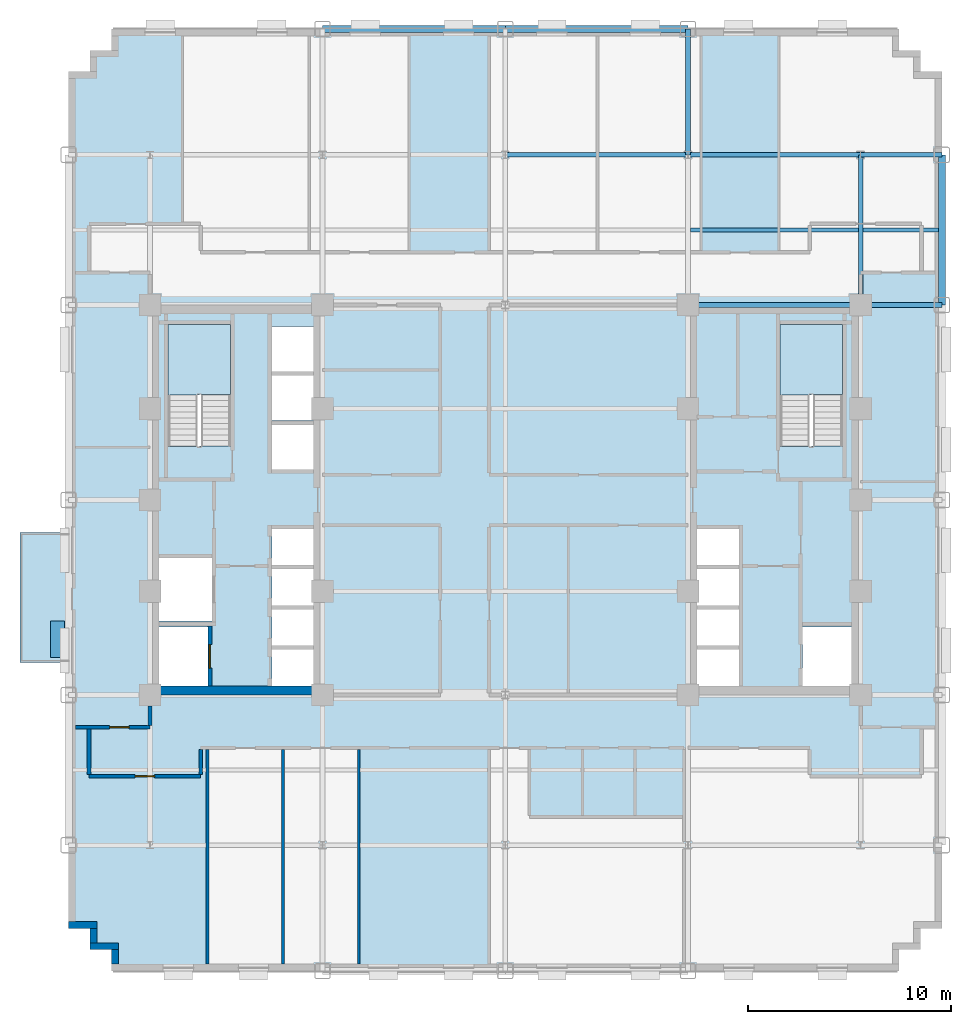
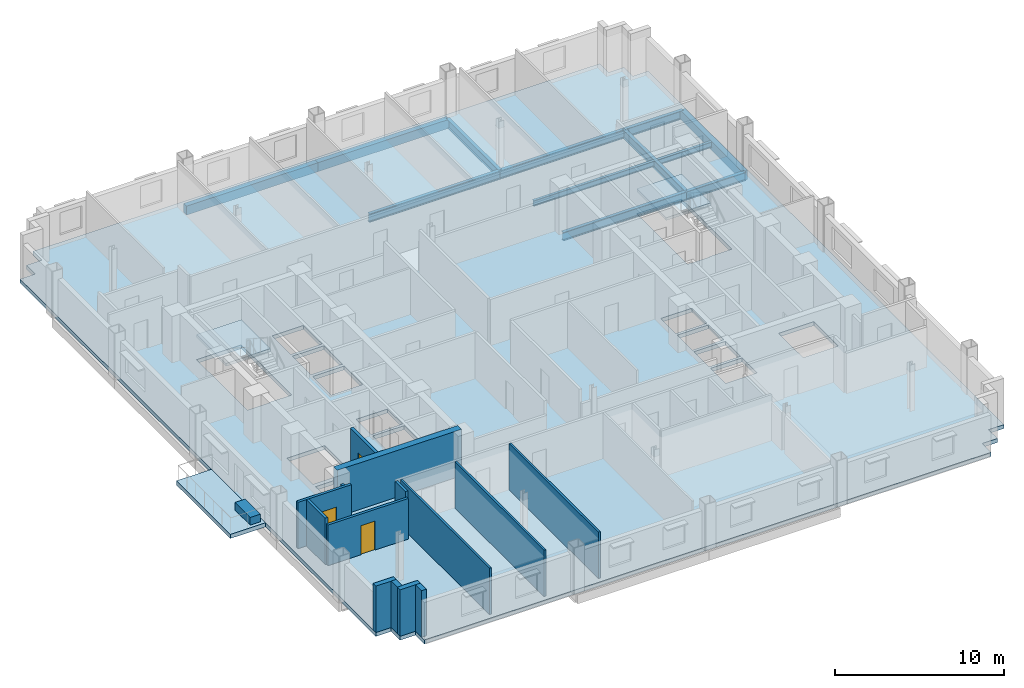
# One storey, part 5 of 14: 14 walls, 12 beams, 4 slabs, 3 doors, 1 plate, 3 openings, 2 elements without a shape of their own.
"""IFC4 building model written with IfcOpenShell, lengths in metres."""

from ifc_helpers import new_model, si_unit, direction, frame, frame_2d, origin, origin_2d, place, context, subcontext, project, spatial, polyline, rectangle, i_section, outline, extrude, source, transform, mapped, material, layer, layer_set, material_profile, profile_set, type_object, type_shapes, element, fill, aggregate, save


model = new_model("IFC4")

# Units and contexts
model_context = context("Model", 3, precision=1e-05, world=origin(), true_north=direction((0.0, 1.0)))
body_context = subcontext(model_context, "Body", "Model", "MODEL_VIEW")
ifc_project = project(units=[si_unit("LENGTHUNIT", "METRE"), si_unit("AREAUNIT", "SQUARE_METRE"), si_unit("VOLUMEUNIT", "CUBIC_METRE"), si_unit("PLANEANGLEUNIT", "RADIAN"), si_unit("MASSUNIT", "GRAM", prefix="KILO")], contexts=[model_context])

# Site, building, storey
site_placement = place(None, origin())
site = spatial("IfcSite", under=ifc_project, at=site_placement, CompositionType="ELEMENT")
building_placement = place(site_placement, origin())
building = spatial("IfcBuilding", under=site, at=building_placement, Name="Nuvemarco Arch Tower", CompositionType="ELEMENT")
storey_placement = place(building_placement, frame((0.0, 0.0, 67.75)))
storey = spatial("IfcBuildingStorey", under=building, at=storey_placement, Name="L17", CompositionType="ELEMENT", Elevation=67.75)

# Beams
ifc_material_1 = material(Name="Steel S355", Category="steel")
ifc_material_profile_1 = material_profile(ifc_material_1, i_section(OverallWidth=0.22998046875, OverallDepth=0.616943359375, WebThickness=0.01318359375, FlangeThickness=0.022216796875, FilletRadius=0.01611328125, at=origin_2d()), Name="W610x140")
ifc_profile_set_1 = profile_set([ifc_material_profile_1], Name="Steel S355")
beam_type_1 = type_object("IfcBeamType", Name="BM-GIRD-610", PredefinedType="BEAM", material=ifc_profile_set_1)
beam_1_placement = place(storey_placement, frame((9.0, 17.0, -0.58837890625), z_axis=(0.0, 1.0, 0.0), x_axis=(-1.0, 0.0, 0.0)))
element("IfcBeam", 1, at=beam_1_placement, inside=storey, type_object=beam_type_1, Name="L17 structural beam BGNS_L17_0_+9.0_+17.0", PredefinedType="BEAM", context=body_context, shape_type="SweptSolid", body=[
    extrude(i_section(OverallWidth=0.22998046875, OverallDepth=0.616943359375, WebThickness=0.01318359375, FlangeThickness=0.022216796875, FilletRadius=0.01611328125, at=origin_2d()), origin(), (0.0, 0.0, 1.0), 6.199951171875),
])
beam_2_placement = place(storey_placement, frame((17.5, 9.60009765625, -0.58837890625), z_axis=(0.0, 1.0, 0.0), x_axis=(-1.0, 0.0, 0.0)))
element("IfcBeam", 2, at=beam_2_placement, inside=storey, type_object=beam_type_1, Name="L17 structural beam BGNS_L17_0_+17.5_+9.6", PredefinedType="BEAM", context=body_context, shape_type="SweptSolid", body=[
    extrude(i_section(OverallWidth=0.22998046875, OverallDepth=0.616943359375, WebThickness=0.01318359375, FlangeThickness=0.022216796875, FilletRadius=0.01611328125, at=origin_2d()), origin(), (0.0, 0.0, 1.0), 7.39990234375),
])
beam_3_placement = place(storey_placement, frame((9.0, 9.60009765625, -0.58837890625), z_axis=(1.0, 0.0, 0.0), x_axis=(0.0, 1.0, 0.0)))
element("IfcBeam", 3, at=beam_3_placement, inside=storey, type_object=beam_type_1, Name="L17 structural beam BGEW_L17_0_+9.6_+9.0", PredefinedType="BEAM", context=body_context, shape_type="SweptSolid", body=[
    extrude(i_section(OverallWidth=0.22998046875, OverallDepth=0.616943359375, WebThickness=0.01318359375, FlangeThickness=0.022216796875, FilletRadius=0.01611328125, at=origin_2d()), origin(), (0.0, 0.0, 1.0), 8.5),
])
beam_4_placement = place(storey_placement, frame((17.5, 9.60009765625, -0.58837890625), z_axis=(1.0, 0.0, 0.0), x_axis=(0.0, 1.0, 0.0)))
element("IfcBeam", 4, at=beam_4_placement, inside=storey, type_object=beam_type_1, Name="L17 structural beam BGEW_L17_0_+9.6_+17.5", PredefinedType="BEAM", context=body_context, shape_type="SweptSolid", body=[
    extrude(i_section(OverallWidth=0.22998046875, OverallDepth=0.616943359375, WebThickness=0.01318359375, FlangeThickness=0.022216796875, FilletRadius=0.01611328125, at=origin_2d()), origin(), (0.0, 0.0, 1.0), 4.0),
])
beam_5_placement = place(storey_placement, frame((0.0, 17.0, -0.58837890625), z_axis=(1.0, 0.0, 0.0), x_axis=(0.0, 1.0, 0.0)))
element("IfcBeam", 5, at=beam_5_placement, inside=storey, type_object=beam_type_1, Name="L17 structural beam BGEW_L17_0_+17.0_+0.0", PredefinedType="BEAM", context=body_context, shape_type="SweptSolid", body=[
    extrude(i_section(OverallWidth=0.22998046875, OverallDepth=0.616943359375, WebThickness=0.01318359375, FlangeThickness=0.022216796875, FilletRadius=0.01611328125, at=origin_2d()), origin(), (0.0, 0.0, 1.0), 9.0),
])
beam_6_placement = place(storey_placement, frame((9.0, 17.0, -0.58837890625), z_axis=(1.0, 0.0, 0.0), x_axis=(0.0, 1.0, 0.0)))
element("IfcBeam", 6, at=beam_6_placement, inside=storey, type_object=beam_type_1, Name="L17 structural beam BGEW_L17_0_+17.0_+9.0", PredefinedType="BEAM", context=body_context, shape_type="SweptSolid", body=[
    extrude(i_section(OverallWidth=0.22998046875, OverallDepth=0.616943359375, WebThickness=0.01318359375, FlangeThickness=0.022216796875, FilletRadius=0.01611328125, at=origin_2d()), origin(), (0.0, 0.0, 1.0), 8.5),
])
beam_7_placement = place(storey_placement, frame((17.5, 17.0, -0.58837890625), z_axis=(1.0, 0.0, 0.0), x_axis=(0.0, 1.0, 0.0)))
element("IfcBeam", 7, at=beam_7_placement, inside=storey, type_object=beam_type_1, Name="L17 structural beam BGEW_L17_0_+17.0_+17.5", PredefinedType="BEAM", context=body_context, shape_type="SweptSolid", body=[
    extrude(i_section(OverallWidth=0.22998046875, OverallDepth=0.616943359375, WebThickness=0.01318359375, FlangeThickness=0.022216796875, FilletRadius=0.01611328125, at=origin_2d()), origin(), (0.0, 0.0, 1.0), 4.0),
])
ifc_material_profile_2 = material_profile(ifc_material_1, i_section(OverallWidth=0.179931640625, OverallDepth=0.4130859375, WebThickness=0.009765625, FlangeThickness=0.01611328125, FilletRadius=0.014892578125, at=origin_2d()), Name="W410x75")
ifc_profile_set_2 = profile_set([ifc_material_profile_2], Name="Steel S355")
beam_type_2 = type_object("IfcBeamType", Name="BM-JOIST-410", PredefinedType="JOIST", material=ifc_profile_set_2)
beam_8_placement = place(storey_placement, frame((9.114990234375, 13.300048828125, -0.486572265625), z_axis=(1.0, 0.0, 0.0), x_axis=(0.0, 1.0, 0.0)))
element("IfcBeam", 8, at=beam_8_placement, inside=storey, type_object=beam_type_2, Name="L17 structural beam BJ_L17_0_+13.3_+9.0", PredefinedType="JOIST", context=body_context, shape_type="SweptSolid", body=[
    extrude(i_section(OverallWidth=0.179931640625, OverallDepth=0.4130859375, WebThickness=0.009765625, FlangeThickness=0.01611328125, FilletRadius=0.014892578125, at=origin_2d()), origin(), (0.0, 0.0, 1.0), 8.27001953125),
])
beam_9_placement = place(storey_placement, frame((17.614990234375, 13.300048828125, -0.486572265625), z_axis=(1.0, 0.0, 0.0), x_axis=(0.0, 1.0, 0.0)))
element("IfcBeam", 9, at=beam_9_placement, inside=storey, type_object=beam_type_2, Name="L17 structural beam BJ_L17_0_+13.3_+17.5", PredefinedType="JOIST", context=body_context, shape_type="SweptSolid", body=[
    extrude(i_section(OverallWidth=0.179931640625, OverallDepth=0.4130859375, WebThickness=0.009765625, FlangeThickness=0.01611328125, FilletRadius=0.014892578125, at=origin_2d()), origin(), (0.0, 0.0, 1.0), 3.7099609375),
])
ifc_material_2 = material(Name="Precast concrete C45/55", Category="concrete")
ifc_material_profile_3 = material_profile(ifc_material_2, rectangle(XDim=0.35009765625, YDim=0.64990234375, at=origin_2d()), Name="PC-SP-350x650")
ifc_profile_set_3 = profile_set([ifc_material_profile_3], Name="Precast concrete C45/55")
beam_type_3 = type_object("IfcBeamType", Name="BM-SPAN-RC", PredefinedType="SPANDREL", material=ifc_profile_set_3)
beam_10_placement = place(storey_placement, frame((21.5, 9.60009765625, -0.60498046875), z_axis=(0.0, 1.0, 0.0), x_axis=(-1.0, 0.0, 0.0)))
element("IfcBeam", 10, at=beam_10_placement, inside=storey, type_object=beam_type_3, Name="L17 structural beam BGNS_L17_0_+21.5_+9.6", PredefinedType="SPANDREL", context=body_context, shape_type="SweptSolid", body=[
    extrude(rectangle(XDim=0.35009765625, YDim=0.64990234375, at=origin_2d()), origin(), (0.0, 0.0, 1.0), 7.39990234375),
])
for number, where, z_axis, x_axis, name in (
    (11, (-9.0, 23.199951171875, -0.60498046875), (1.0, 0.0, 0.0), (0.0, 1.0, 0.0), "L17 structural beam BGEW_L17_0_+23.2_-9.0"),
    (12, (0.0, 23.199951171875, -0.60498046875), (1.0, 0.0, 0.0), (0.0, 1.0, 0.0), "L17 structural beam BGEW_L17_0_+23.2_+0.0"),
):
    element("IfcBeam", number, at=place(storey_placement, frame(where, z_axis=z_axis, x_axis=x_axis)), inside=storey, type_object=beam_type_3, Name=name, PredefinedType="SPANDREL", context=body_context, shape_type="SweptSolid", body=[
        extrude(rectangle(XDim=0.35009765625, YDim=0.64990234375, at=origin_2d()), origin(), (0.0, 0.0, 1.0), 9.0),
    ])

# Slab
ifc_material_3 = material(Name="Concrete C50/60", Category="concrete")
ifc_layer_1 = layer(ifc_material_3, 0.280029296875, Name="SL-FLR-280")
ifc_layer_set_1 = layer_set([ifc_layer_1], Name="Concrete C50/60")
slab_type_1 = type_object("IfcSlabType", Name="SL-FLR-280", PredefinedType="FLOOR", material=ifc_layer_set_1)
slab_1_placement = place(storey_placement, frame((0.0, 0.0, -0.280029296875)))
element("IfcSlab", 13, at=slab_1_placement, inside=storey, type_object=slab_type_1, Name="L17 structural floor slab", PredefinedType="FLOOR", context=body_context, shape_type="SweptSolid", body=[
    extrude(outline(polyline([(-19.39990234375, -23.199951171875), (19.39990234375, -23.199951171875), (19.39990234375, -22.14990234375), (20.449951171875, -22.14990234375), (20.449951171875, -21.10009765625), (21.5, -21.10009765625), (21.5, 21.10009765625), (20.449951171875, 21.10009765625), (20.449951171875, 22.14990234375), (19.39990234375, 22.14990234375), (19.39990234375, 23.199951171875), (-19.39990234375, 23.199951171875), (-19.39990234375, 22.14990234375), (-20.449951171875, 22.14990234375), (-20.449951171875, 21.10009765625), (-21.5, 21.10009765625), (-21.5, -21.10009765625), (-20.449951171875, -21.10009765625), (-20.449951171875, -22.14990234375), (-19.39990234375, -22.14990234375), (-19.39990234375, -23.199951171875)]), holes=[polyline([(-13.5400390625, 2.669921875), (-13.5400390625, 8.64990234375), (-16.60009765625, 8.64990234375), (-16.60009765625, 2.630615234375), (-15.070068359375, 2.630615234375), (-15.070068359375, 2.669921875), (-13.5400390625, 2.669921875)]), polyline([(16.60009765625, 2.669921875), (16.60009765625, 8.64990234375), (13.5400390625, 8.64990234375), (13.5400390625, 2.630615234375), (15.070068359375, 2.630615234375), (15.070068359375, 2.669921875), (16.60009765625, 2.669921875)]), polyline([(-17.050048828125, -9.14990234375), (-14.64990234375, -9.14990234375), (-14.64990234375, -6.25), (-17.050048828125, -6.25), (-17.050048828125, -9.14990234375)]), polyline([(-17.050048828125, -5.949951171875), (-14.449951171875, -5.949951171875), (-14.449951171875, -2.85009765625), (-17.050048828125, -2.85009765625), (-17.050048828125, -5.949951171875)]), polyline([(-11.5, -9.14990234375), (-9.35009765625, -9.14990234375), (-9.35009765625, -7.3701171875), (-11.5, -7.3701171875), (-11.5, -9.14990234375)]), polyline([(-11.5, -7.169921875), (-9.35009765625, -7.169921875), (-9.35009765625, -5.389892578125), (-11.5, -5.389892578125), (-11.5, -7.169921875)]), polyline([(-11.5, -5.18994140625), (-9.35009765625, -5.18994140625), (-9.35009765625, -3.409912109375), (-11.5, -3.409912109375), (-11.5, -5.18994140625)]), polyline([(-11.5, -3.2099609375), (-9.35009765625, -3.2099609375), (-9.35009765625, -1.429931640625), (-11.5, -1.429931640625), (-11.5, -3.2099609375)]), polyline([(-11.5, 1.5), (-9.35009765625, 1.5), (-9.35009765625, 3.699951171875), (-11.5, 3.699951171875), (-11.5, 1.5)]), polyline([(-11.5, 3.919921875), (-9.35009765625, 3.919921875), (-9.35009765625, 6.1201171875), (-11.5, 6.1201171875), (-11.5, 3.919921875)]), polyline([(-11.5, 6.340087890625), (-9.35009765625, 6.340087890625), (-9.35009765625, 8.5400390625), (-11.5, 8.5400390625), (-11.5, 6.340087890625)]), polyline([(14.64990234375, -9.14990234375), (17.050048828125, -9.14990234375), (17.050048828125, -6.25), (14.64990234375, -6.25), (14.64990234375, -9.14990234375)]), polyline([(9.35009765625, -9.14990234375), (11.5, -9.14990234375), (11.5, -7.3701171875), (9.35009765625, -7.3701171875), (9.35009765625, -9.14990234375)]), polyline([(9.35009765625, -7.169921875), (11.5, -7.169921875), (11.5, -5.389892578125), (9.35009765625, -5.389892578125), (9.35009765625, -7.169921875)]), polyline([(9.35009765625, -5.18994140625), (11.5, -5.18994140625), (11.5, -3.409912109375), (9.35009765625, -3.409912109375), (9.35009765625, -5.18994140625)]), polyline([(9.35009765625, -3.2099609375), (11.5, -3.2099609375), (11.5, -1.429931640625), (9.35009765625, -1.429931640625), (9.35009765625, -3.2099609375)])]), origin(), (0.0, 0.0, 1.0), 0.280029296875),
])

# Stair, slab
stair_type = type_object("IfcStairType", Name="ST-CORE-20R", PredefinedType="HALF_TURN_STAIR", material=ifc_material_2)
stair_1_placement = place(storey_placement, origin())
stair_1 = element("IfcStair", 14, at=stair_1_placement, inside=storey, type_object=stair_type, Name="L17 Protected Exit Stair ST-1", PredefinedType="HALF_TURN_STAIR")
ifc_layer_2 = layer(ifc_material_2, 0.199951171875, Name="SL-LANDING-200")
ifc_layer_set_2 = layer_set([ifc_layer_2], Name="Precast concrete C45/55")
slab_type_2 = type_object("IfcSlabType", Name="SL-LANDING-200", PredefinedType="LANDING", material=ifc_layer_set_2)
slab_2_placement = place(storey_placement, frame((0.0, 0.0, 1.625)))
slab_2 = element("IfcSlab", 15, at=slab_2_placement, type_object=slab_type_2, Name="ST-20R landing 1", PredefinedType="LANDING", context=body_context, shape_type="SweptSolid", body=[
    extrude(outline(polyline([(-13.5400390625, 5.189453125), (-13.5400390625, 8.64990234375), (-16.60009765625, 8.64990234375), (-16.60009765625, 5.169921875), (-15.070068359375, 5.169921875), (-15.070068359375, 5.189453125), (-13.5400390625, 5.189453125)])), origin(), (0.0, 0.0, 1.0), 0.199951171875),
])
aggregate(stair_1, [slab_2])

stair_2_placement = place(storey_placement, origin())
stair_2 = element("IfcStair", 16, at=stair_2_placement, inside=storey, type_object=stair_type, Name="L17 Protected Exit Stair ST-2", PredefinedType="HALF_TURN_STAIR")
slab_3_placement = place(storey_placement, frame((0.0, 0.0, 1.625)))
slab_3 = element("IfcSlab", 17, at=slab_3_placement, type_object=slab_type_2, Name="ST-20R landing 1", PredefinedType="LANDING", context=body_context, shape_type="SweptSolid", body=[
    extrude(outline(polyline([(16.60009765625, 5.189453125), (16.60009765625, 8.64990234375), (13.5400390625, 8.64990234375), (13.5400390625, 5.169921875), (15.070068359375, 5.169921875), (15.070068359375, 5.189453125), (16.60009765625, 5.189453125)])), origin(), (0.0, 0.0, 1.0), 0.199951171875),
])
aggregate(stair_2, [slab_3])

# Slab
ifc_layer_3 = layer(ifc_material_3, 0.294921875, Name="SL-TR4")
ifc_layer_set_3 = layer_set([ifc_layer_3], Name="Concrete C50/60")
slab_type_3 = type_object("IfcSlabType", Name="SL-TR4", PredefinedType="FLOOR", material=ifc_layer_set_3)
slab_4_placement = place(storey_placement, frame((0.0, 0.0, -0.294921875)))
element("IfcSlab", 18, at=slab_4_placement, inside=storey, type_object=slab_type_3, Name="L17 outdoor spiral terrace slab 1", PredefinedType="FLOOR", context=body_context, shape_type="SweptSolid", body=[
    extrude(outline(polyline([(-23.89990234375, -8.0), (-21.5, -8.0), (-21.5, -1.60009765625), (-23.89990234375, -1.60009765625), (-23.89990234375, -8.0)])), origin(), (0.0, 0.0, 1.0), 0.294921875),
])

# Plate
ifc_layer_4 = layer(ifc_material_2, 0.550048828125, Name="Tree Balcony Structural Planter")
ifc_layer_set_4 = layer_set([ifc_layer_4], Name="Precast concrete C45/55")
plate_type = type_object("IfcPlateType", Name="Tree Balcony Structural Planter", PredefinedType="USERDEFINED", material=ifc_layer_set_4)
shared_shape_1 = source(origin(), body_context, "Body", "SweptSolid", [
    extrude(rectangle(XDim=1.800048828125, YDim=0.699951171875, at=origin_2d()), origin(), (0.0, 0.0, 1.0), 0.550048828125),
])
type_shapes(plate_type, [shared_shape_1])
plate_placement = place(storey_placement, frame((-22.050048828125, -6.85009765625, 0.0), z_axis=(0.0, 0.0, 1.0), x_axis=(0.0, 1.0, 0.0)))
element("IfcPlate", 19, at=plate_placement, inside=storey, type_object=plate_type, Name="L17 Tree Balcony Structural Planter", ObjectType="PLANTER", PredefinedType="USERDEFINED", context=body_context, shape_type="MappedRepresentation", body=[
    mapped(shared_shape_1, transform((0.0, 0.0, 0.0), scale=1.0)),
])

# Walls
ifc_layer_5 = layer(ifc_material_2, 0.340087890625, Name="EW-LOW-340")
ifc_layer_set_5 = layer_set([ifc_layer_5], Name="Precast concrete C45/55")
wall_type_1 = type_object("IfcWallType", Name="EW-LOW-340", PredefinedType="STANDARD", material=ifc_layer_set_5)
wall_1_placement = place(storey_placement, frame((-21.5, -20.929931640625, 0.0), z_axis=(0.0, 0.0, 1.0), x_axis=(1.0, 0.0, 0.0)))
element("IfcWall", 20, at=wall_1_placement, inside=storey, type_object=wall_type_1, Name="L17 exterior precast facade wall 17", PredefinedType="STANDARD", context=body_context, shape_type="SweptSolid", body=[
    extrude(rectangle(XDim=1.389892578125, YDim=0.340087890625, at=frame_2d((0.69482421875, 0.0))), origin(), (0.0, 0.0, 1.0), 3.360107421875),
])
wall_2_placement = place(storey_placement, frame((-20.280029296875, -21.81396484375, 0.0), z_axis=(0.0, 0.0, 1.0), x_axis=(0.0, 1.0, 0.0)))
element("IfcWall", 21, at=wall_2_placement, inside=storey, type_object=wall_type_1, Name="L17 exterior precast facade wall 18", PredefinedType="STANDARD", context=body_context, shape_type="SweptSolid", body=[
    extrude(rectangle(XDim=0.718017578125, YDim=0.340087890625, at=frame_2d((0.35888671875, 0.0))), origin(), (0.0, 0.0, 1.0), 3.360107421875),
])
wall_3_placement = place(storey_placement, frame((-20.449951171875, -21.97998046875, 0.0), z_axis=(0.0, 0.0, 1.0), x_axis=(1.0, 0.0, 0.0)))
element("IfcWall", 22, at=wall_3_placement, inside=storey, type_object=wall_type_1, Name="L17 exterior precast facade wall 19", PredefinedType="STANDARD", context=body_context, shape_type="SweptSolid", body=[
    extrude(rectangle(XDim=1.389892578125, YDim=0.340087890625, at=frame_2d((0.69482421875, 0.0))), origin(), (0.0, 0.0, 1.0), 3.360107421875),
])
wall_4_placement = place(storey_placement, frame((-19.22998046875, -22.864013671875, 0.0), z_axis=(0.0, 0.0, 1.0), x_axis=(0.0, 1.0, 0.0)))
element("IfcWall", 23, at=wall_4_placement, inside=storey, type_object=wall_type_1, Name="L17 exterior precast facade wall 20", PredefinedType="STANDARD", context=body_context, shape_type="SweptSolid", body=[
    extrude(rectangle(XDim=0.718017578125, YDim=0.340087890625, at=frame_2d((0.35888671875, 0.0))), origin(), (0.0, 0.0, 1.0), 3.360107421875),
])
ifc_material_4 = material(Name="Concrete C60/75", Category="concrete")
ifc_layer_6 = layer(ifc_material_4, 0.449951171875, Name="WL-CORE-450")
ifc_layer_set_6 = layer_set([ifc_layer_6], Name="Concrete C60/75")
wall_type_2 = type_object("IfcWallType", Name="WL-CORE-450", PredefinedType="SHEAR", material=ifc_layer_set_6)
wall_5_placement = place(storey_placement, frame((-17.5, -9.375, 0.0), z_axis=(0.0, 0.0, 1.0), x_axis=(1.0, 0.0, 0.0)))
element("IfcWall", 24, at=wall_5_placement, inside=storey, type_object=wall_type_2, Name="L17 W-core shear wall S", PredefinedType="SHEAR", context=body_context, shape_type="SweptSolid", body=[
    extrude(rectangle(XDim=8.5, YDim=0.449951171875, at=frame_2d((4.25, 0.0))), origin(), (0.0, 0.0, 1.0), 3.3701171875),
])

# Wall, opening, door
ifc_material_5 = material(Name="Fire-rated gypsum drywall partition")
ifc_layer_7 = layer(ifc_material_5, 0.179931640625, Name="WL-CORR-180")
ifc_layer_set_7 = layer_set([ifc_layer_7], Name="Fire-rated gypsum drywall partition")
wall_type_3 = type_object("IfcWallType", Name="WL-CORR-180", PredefinedType="PARTITIONING", material=ifc_layer_set_7)
wall_6_placement = place(storey_placement, frame((-20.5, -13.60009765625, 0.0), z_axis=(0.0, 0.0, 1.0), x_axis=(1.0, 0.0, 0.0)))
wall_6 = element("IfcWall", 25, at=wall_6_placement, inside=storey, type_object=wall_type_3, Name="L17 interior wall IW-L17-002", PredefinedType="PARTITIONING", context=body_context, shape_type="SweptSolid", body=[
    extrude(rectangle(XDim=5.5, YDim=0.179931640625, at=frame_2d((2.75, 0.0))), origin(), (0.0, 0.0, 1.0), 2.94189453125),
])
opening_1_placement = place(wall_6_placement, frame((2.27001953125, 0.0, 0.0)))
opening_1 = element("IfcOpeningElement", 26, at=opening_1_placement, cuts=wall_6, Name="Opening FD-5", PredefinedType="OPENING", context=body_context, shape_type="SweptSolid", body=[
    extrude(rectangle(XDim=0.9599609375, YDim=2.10009765625, at=frame_2d((0.47998046875, 1.050048828125))), frame((0.0, 0.099853515625, 0.0), z_axis=(0.0, -1.0, 0.0), x_axis=(1.0, 0.0, 0.0)), (0.0, 0.0, 1.0), 0.199951171875),
])
ifc_material_6 = material(Name="Timber fire door", Category="wood")
door_type_1 = type_object("IfcDoorType", Name="DR-CORR-FD", OperationType="NOTDEFINED", PredefinedType="DOOR", material=ifc_material_6)
shared_shape_2 = source(origin(), body_context, "Body", "SweptSolid", [
    extrude(rectangle(XDim=0.9599609375, YDim=2.10009765625, at=frame_2d((0.47998046875, 1.050048828125))), frame((0.0, 0.02490234375, 0.0), z_axis=(0.0, -1.0, 0.0), x_axis=(1.0, 0.0, 0.0)), (0.0, 0.0, 1.0), 0.050048828125),
])
type_shapes(door_type_1, [shared_shape_2])
door_1_placement = place(opening_1_placement, origin())
door_1 = element("IfcDoor", 27, at=door_1_placement, inside=storey, type_object=door_type_1, Name="L17 door DR-L17-S_1", OperationType="SINGLE_SWING_LEFT", OverallHeight=2.10009765625, OverallWidth=0.9599609375, PredefinedType="DOOR", context=body_context, shape_type="MappedRepresentation", body=[
    mapped(shared_shape_2, transform((0.0, 0.0, 0.0), scale=1.0)),
])
fill(opening_1, door_1)

wall_7_placement = place(storey_placement, frame((-21.159912109375, -11.199951171875, 0.0), z_axis=(0.0, 0.0, 1.0), x_axis=(1.0, 0.0, 0.0)))
wall_7 = element("IfcWall", 28, at=wall_7_placement, inside=storey, type_object=wall_type_3, Name="L17 interior wall IW-L17-006", PredefinedType="PARTITIONING", context=body_context, shape_type="SweptSolid", body=[
    extrude(rectangle(XDim=3.659912109375, YDim=0.179931640625, at=frame_2d((1.830078125, 0.0))), origin(), (0.0, 0.0, 1.0), 3.360107421875),
])
opening_2_placement = place(wall_7_placement, frame((1.679931640625, 0.0, 0.0)))
opening_2 = element("IfcOpeningElement", 29, at=opening_2_placement, cuts=wall_7, Name="Opening FD-5", PredefinedType="OPENING", context=body_context, shape_type="SweptSolid", body=[
    extrude(rectangle(XDim=0.9599609375, YDim=2.10009765625, at=frame_2d((0.47998046875, 1.050048828125))), frame((0.0, 0.099853515625, 0.0), z_axis=(0.0, -1.0, 0.0), x_axis=(1.0, 0.0, 0.0)), (0.0, 0.0, 1.0), 0.199951171875),
])
door_2_placement = place(opening_2_placement, origin())
door_2 = element("IfcDoor", 30, at=door_2_placement, inside=storey, type_object=door_type_1, Name="L17 door DR-L17-W_1", OperationType="SINGLE_SWING_RIGHT", OverallHeight=2.10009765625, OverallWidth=0.9599609375, PredefinedType="DOOR", context=body_context, shape_type="MappedRepresentation", body=[
    mapped(shared_shape_2, transform((0.0, 0.0, 0.0), scale=1.0)),
])
fill(opening_2, door_2)

# Walls
wall_8_placement = place(storey_placement, frame((-20.5, -13.513916015625, 0.0), z_axis=(0.0, 0.0, 1.0), x_axis=(0.0, 1.0, 0.0)))
element("IfcWall", 31, at=wall_8_placement, inside=storey, type_object=wall_type_3, Name="L17 interior wall IW-L17-026", PredefinedType="PARTITIONING", context=body_context, shape_type="SweptSolid", body=[
    extrude(rectangle(XDim=2.22802734375, YDim=0.179931640625, at=frame_2d((1.114013671875, 0.0))), origin(), (0.0, 0.0, 1.0), 3.360107421875),
])
wall_9_placement = place(storey_placement, frame((-17.5, -11.114013671875, 0.0), z_axis=(0.0, 0.0, 1.0), x_axis=(0.0, 1.0, 0.0)))
element("IfcWall", 32, at=wall_9_placement, inside=storey, type_object=wall_type_3, Name="L17 interior wall IW-L17-028", PredefinedType="PARTITIONING", context=body_context, shape_type="SweptSolid", body=[
    extrude(rectangle(XDim=0.968017578125, YDim=0.179931640625, at=frame_2d((0.48388671875, 0.0))), origin(), (0.0, 0.0, 1.0), 2.738037109375),
])
wall_10_placement = place(storey_placement, frame((-15.0, -13.513916015625, 0.0), z_axis=(0.0, 0.0, 1.0), x_axis=(0.0, 1.0, 0.0)))
element("IfcWall", 33, at=wall_10_placement, inside=storey, type_object=wall_type_3, Name="L17 interior wall IW-L17-031", PredefinedType="PARTITIONING", context=body_context, shape_type="SweptSolid", body=[
    extrude(rectangle(XDim=1.22802734375, YDim=0.179931640625, at=frame_2d((0.614013671875, 0.0))), origin(), (0.0, 0.0, 1.0), 3.360107421875),
])
ifc_material_7 = material(Name="Gypsum plasterboard partition")
ifc_layer_8 = layer(ifc_material_7, 0.139892578125, Name="WL-ROOM-140")
ifc_layer_set_8 = layer_set([ifc_layer_8], Name="Gypsum plasterboard partition")
wall_type_4 = type_object("IfcWallType", Name="WL-ROOM-140", PredefinedType="PARTITIONING", material=ifc_layer_set_8)
for number, where, z_axis, x_axis, name in (
    (34, (-14.669921875, -22.860107421875, 0.0), (0.0, 0.0, 1.0), (0.0, 1.0, 0.0), "L17 interior wall IW-L17-033"),
    (35, (-10.93994140625, -22.860107421875, 0.0), (0.0, 0.0, 1.0), (0.0, 1.0, 0.0), "L17 interior wall IW-L17-034"),
    (36, (-7.219970703125, -22.860107421875, 0.0), (0.0, 0.0, 1.0), (0.0, 1.0, 0.0), "L17 interior wall IW-L17-036"),
):
    element("IfcWall", number, at=place(storey_placement, frame(where, z_axis=z_axis, x_axis=x_axis)), inside=storey, type_object=wall_type_4, Name=name, PredefinedType="PARTITIONING", context=body_context, shape_type="SweptSolid", body=[
        extrude(rectangle(XDim=10.57421875, YDim=0.139892578125, at=frame_2d((5.287109375, 0.0))), origin(), (0.0, 0.0, 1.0), 3.360107421875),
    ])

# Wall, opening, door
ifc_layer_9 = layer(ifc_material_3, 0.199951171875, Name="WL-SHAFT-220")
ifc_layer_set_9 = layer_set([ifc_layer_9], Name="Concrete C50/60")
wall_type_5 = type_object("IfcWallType", Name="WL-SHAFT-220", PredefinedType="SHEAR", material=ifc_layer_set_9)
wall_11_placement = place(storey_placement, frame((-14.550048828125, -9.155029296875, 0.0), z_axis=(0.0, 0.0, 1.0), x_axis=(0.0, 1.0, 0.0)))
wall_11 = element("IfcWall", 37, at=wall_11_placement, inside=storey, type_object=wall_type_5, Name="L17 structural shaft wall SW-L17-W-SHE", PredefinedType="SHEAR", context=body_context, shape_type="SweptSolid", body=[
    extrude(rectangle(XDim=2.9599609375, YDim=0.199951171875, at=frame_2d((1.47998046875, 0.0))), origin(), (0.0, 0.0, 1.0), 3.3701171875),
])
opening_3_placement = place(wall_11_placement, frame((0.8798828125, 0.0, 0.0)))
opening_3 = element("IfcOpeningElement", 38, at=opening_3_placement, cuts=wall_11, Name="Opening LD-2", PredefinedType="OPENING", context=body_context, shape_type="SweptSolid", body=[
    extrude(rectangle(XDim=1.14990234375, YDim=2.14990234375, at=frame_2d((0.574951171875, 1.074951171875))), frame((0.0, 0.10986328125, 0.0), z_axis=(0.0, -1.0, 0.0), x_axis=(1.0, 0.0, 0.0)), (0.0, 0.0, 1.0), 0.219970703125),
])
ifc_material_8 = material(Name="Stainless steel lift door", Category="steel")
door_type_2 = type_object("IfcDoorType", Name="DR-LIFT-FIRE", OperationType="DOUBLE_DOOR_SLIDING", PredefinedType="DOOR", material=ifc_material_8)
shared_shape_3 = source(origin(), body_context, "Body", "SweptSolid", [
    extrude(rectangle(XDim=1.14990234375, YDim=2.14990234375, at=frame_2d((0.574951171875, 1.074951171875))), frame((0.0, 0.02490234375, 0.0), z_axis=(0.0, -1.0, 0.0), x_axis=(1.0, 0.0, 0.0)), (0.0, 0.0, 1.0), 0.050048828125),
])
type_shapes(door_type_2, [shared_shape_3])
door_3_placement = place(opening_3_placement, origin())
door_3 = element("IfcDoor", 39, at=door_3_placement, inside=storey, type_object=door_type_2, Name="L17 Lift landing sliding door FFL-1", OperationType="DOUBLE_DOOR_SLIDING", OverallHeight=2.14990234375, OverallWidth=1.14990234375, PredefinedType="DOOR", context=body_context, shape_type="MappedRepresentation", body=[
    mapped(shared_shape_3, transform((0.0, 0.0, 0.0), scale=1.0)),
])
fill(opening_3, door_3)

save(model, "model.ifc")
